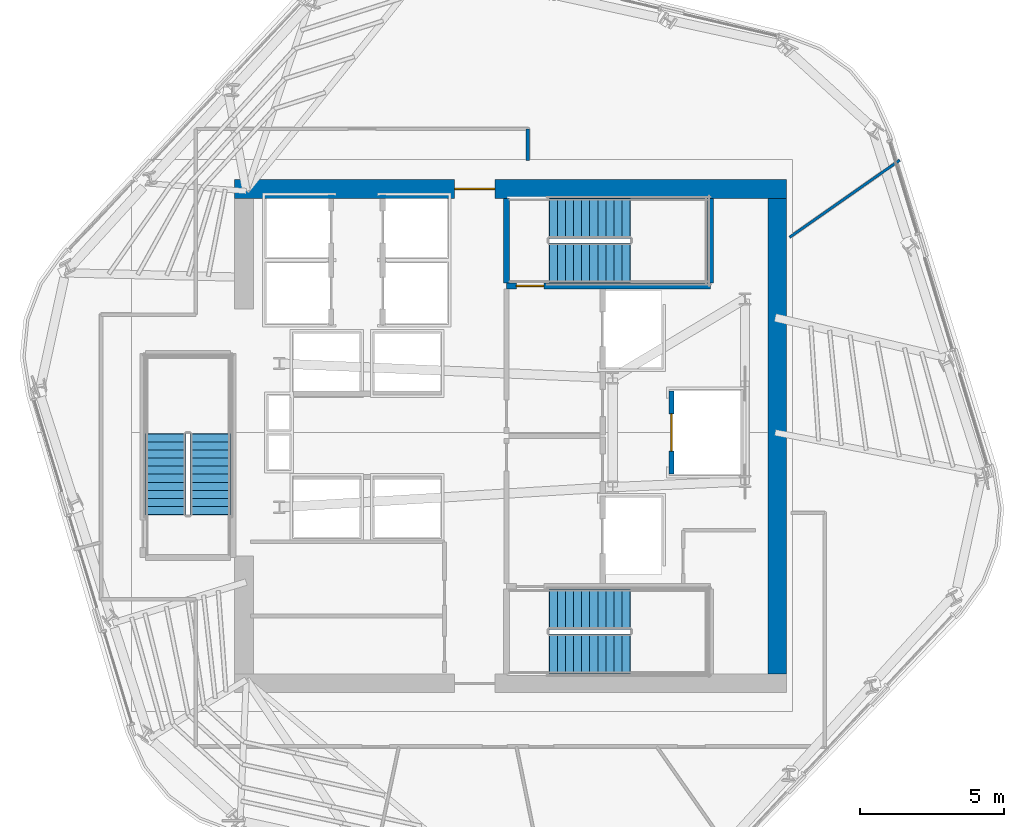
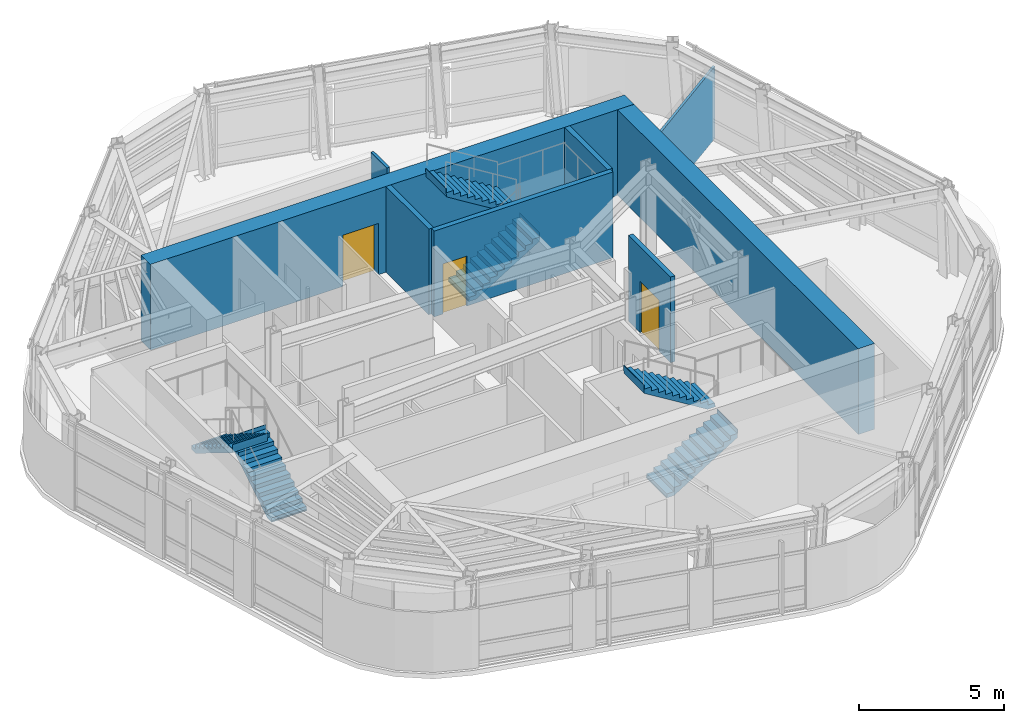
# One storey, part 8 of 13: 8 walls, 6 stair flights, 3 doors, 3 openings, 3 elements without a shape of their own.
"""IFC4 building model written with IfcOpenShell, lengths in metres."""

from ifc_helpers import new_model, si_unit, direction, frame, frame_2d, origin, place, context, subcontext, project, spatial, polyline, rectangle, outline, extrude, material, layer, layer_set, type_object, element, fill, aggregate, save


model = new_model("IFC4")

# Units and contexts
model_context = context("Model", 3, precision=1e-05, world=origin(), true_north=direction((0.0, 1.0)))
body_context = subcontext(model_context, "Body", "Model", "MODEL_VIEW")
ifc_project = project(units=[si_unit("LENGTHUNIT", "METRE"), si_unit("AREAUNIT", "SQUARE_METRE"), si_unit("VOLUMEUNIT", "CUBIC_METRE"), si_unit("PLANEANGLEUNIT", "RADIAN"), si_unit("MASSUNIT", "GRAM", prefix="KILO")], contexts=[model_context])

# Site, building, storey
site_placement = place(None, origin())
site = spatial("IfcSite", under=ifc_project, at=site_placement, CompositionType="ELEMENT")
building_placement = place(site_placement, origin())
building = spatial("IfcBuilding", under=site, at=building_placement, Name="Valkerne Bourse Tower", CompositionType="ELEMENT")
storey_placement = place(building_placement, frame((0.0, 0.0, 224.60009765625)))
storey = spatial("IfcBuildingStorey", under=building, at=storey_placement, Name="L57", CompositionType="ELEMENT", Elevation=224.60009765625)

# Wall, opening, door
ifc_material_1 = material(Name="Concrete C55/67", Category="concrete")
ifc_layer_1 = layer(ifc_material_1, 0.64990234375)
ifc_layer_set_1 = layer_set([ifc_layer_1], Name="Concrete C55/67")
wall_type_1 = type_object("IfcWallType", Name="W-CORE-650", PredefinedType="SHEAR", material=ifc_layer_set_1)
wall_1_placement = place(storey_placement, frame((37.199951171875, 35.47509765625, 0.0), z_axis=(0.0, 0.0, 1.0), x_axis=(1.0, 0.0, 0.0)))
wall_1 = element("IfcWall", 1, at=wall_1_placement, inside=storey, type_object=wall_type_1, Name="L57 Core Shear Wall NORTH", PredefinedType="SHEAR", context=body_context, shape_type="SweptSolid", body=[
    extrude(rectangle(XDim=19.199951171875, YDim=0.64990234375, at=frame_2d((9.60009765625, 0.0))), origin(), (0.0, 0.0, 1.0), 3.599853515625),
])
opening_1_placement = place(wall_1_placement, frame((7.64990234375, 0.0, 0.0)))
opening_1 = element("IfcOpeningElement", 2, at=opening_1_placement, cuts=wall_1, Name="Opening D-PL-1400", PredefinedType="OPENING", context=body_context, shape_type="SweptSolid", body=[
    extrude(rectangle(XDim=1.39990234375, YDim=2.14990234375, at=frame_2d((0.699951171875, 1.074951171875))), frame((0.0, 0.3349609375, 0.0), z_axis=(0.0, -1.0, 0.0), x_axis=(1.0, 0.0, 0.0)), (0.0, 0.0, 1.0), 0.669921875),
])
ifc_material_2 = material(Name="Galvanised Painted Steel", Category="steel")
door_type_1 = type_object("IfcDoorType", Name="DR-PLT-1400", OperationType="DOUBLE_DOOR_SINGLE_SWING", PredefinedType="DOOR", material=ifc_material_2)
door_1_placement = place(opening_1_placement, origin())
door_1 = element("IfcDoor", 3, at=door_1_placement, inside=storey, type_object=door_type_1, Name="L57 North Passenger Lift Hall Fire Door", OperationType="DOUBLE_DOOR_SINGLE_SWING", OverallHeight=2.14990234375, OverallWidth=1.39990234375, PredefinedType="DOOR", context=body_context, shape_type="SweptSolid", body=[
    extrude(rectangle(XDim=1.39990234375, YDim=2.14990234375, at=frame_2d((0.699951171875, 1.074951171875))), frame((0.0, 0.02490234375, 0.0), z_axis=(0.0, -1.0, 0.0), x_axis=(1.0, 0.0, 0.0)), (0.0, 0.0, 1.0), 0.050048828125),
])
fill(opening_1, door_1)

# Walls
wall_2_placement = place(storey_placement, frame((56.074951171875, 18.60009765625, 0.0), z_axis=(0.0, 0.0, 1.0), x_axis=(0.0, 1.0, 0.0)))
element("IfcWall", 4, at=wall_2_placement, inside=storey, type_object=wall_type_1, Name="L57 Core Shear Wall EAST", PredefinedType="SHEAR", context=body_context, shape_type="SweptSolid", body=[
    extrude(rectangle(XDim=16.5498046875, YDim=0.64990234375, at=frame_2d((8.27490234375, 0.0))), origin(), (0.0, 0.0, 1.0), 3.599853515625),
])
ifc_material_3 = material(Name="Gypsum Board Steel-Stud Partition", Category="steel")
ifc_layer_2 = layer(ifc_material_3, 0.117919921875)
ifc_layer_set_2 = layer_set([ifc_layer_2], Name="Gypsum Board Steel-Stud Partition")
wall_type_2 = type_object("IfcWallType", Name="W-CORR-140", PredefinedType="PARTITIONING", material=ifc_layer_set_2)
wall_3_placement = place(storey_placement, frame((47.39990234375, 37.56005859375, 0.0), z_axis=(0.0, 0.0, 1.0), x_axis=(0.0, -1.0, 0.0)))
element("IfcWall", 5, at=wall_3_placement, inside=storey, type_object=wall_type_2, Name="L57 Corridor Enclosure Wall", PredefinedType="PARTITIONING", context=body_context, shape_type="SweptSolid", body=[
    extrude(rectangle(XDim=1.10009765625, YDim=0.117919921875, at=frame_2d((0.550048828125, 0.0))), origin(), (0.0, 0.0, 1.0), 3.2998046875),
])

# Wall, opening, door
ifc_material_4 = material(Name="CMU Blockwork Masonry 200mm", Category="masonry")
ifc_layer_3 = layer(ifc_material_4, 0.179931640625)
ifc_layer_set_3 = layer_set([ifc_layer_3], Name="CMU Blockwork Masonry 200mm")
wall_type_3 = type_object("IfcWallType", Name="W-LFT-180", PredefinedType="SOLIDWALL", material=ifc_layer_set_3)
wall_4_placement = place(storey_placement, frame((52.39990234375, 25.550048828125, 0.0), z_axis=(0.0, 0.0, 1.0), x_axis=(0.0, 1.0, 0.0)))
wall_4 = element("IfcWall", 6, at=wall_4_placement, inside=storey, type_object=wall_type_3, Name="L57 Service Lift SV-1 Front Wall", PredefinedType="SOLIDWALL", context=body_context, shape_type="SweptSolid", body=[
    extrude(rectangle(XDim=2.89990234375, YDim=0.179931640625, at=frame_2d((1.449951171875, 0.0))), origin(), (0.0, 0.0, 1.0), 3.599853515625),
])
opening_2_placement = place(wall_4_placement, frame((0.800048828125, 0.0, 0.0)))
opening_2 = element("IfcOpeningElement", 7, at=opening_2_placement, cuts=wall_4, Name="Opening LD-1300", PredefinedType="OPENING", context=body_context, shape_type="SweptSolid", body=[
    extrude(rectangle(XDim=1.300048828125, YDim=2.14990234375, at=frame_2d((0.64990234375, 1.074951171875))), frame((0.0, 0.099853515625, 0.0), z_axis=(0.0, -1.0, 0.0), x_axis=(1.0, 0.0, 0.0)), (0.0, 0.0, 1.0), 0.199951171875),
])
ifc_material_5 = material(Name="Stainless Steel AISI 316", Category="steel")
door_type_2 = type_object("IfcDoorType", Name="DR-LIFT-1300", OperationType="DOUBLE_DOOR_SLIDING", PredefinedType="DOOR", material=ifc_material_5)
door_2_placement = place(opening_2_placement, origin())
door_2 = element("IfcDoor", 8, at=door_2_placement, inside=storey, type_object=door_type_2, Name="L57 Service Lift SV-1 Landing Door", OperationType="DOUBLE_DOOR_SLIDING", OverallHeight=2.14990234375, OverallWidth=1.300048828125, PredefinedType="DOOR", context=body_context, shape_type="SweptSolid", body=[
    extrude(rectangle(XDim=1.300048828125, YDim=2.14990234375, at=frame_2d((0.64990234375, 1.074951171875))), frame((0.0, 0.02490234375, 0.0), z_axis=(0.0, -1.0, 0.0), x_axis=(1.0, 0.0, 0.0)), (0.0, 0.0, 1.0), 0.050048828125),
])
fill(opening_2, door_2)

# Wall
ifc_layer_4 = layer(ifc_material_3, 0.092041015625)
ifc_layer_set_4 = layer_set([ifc_layer_4], Name="Gypsum Board Steel-Stud Partition")
wall_type_4 = type_object("IfcWallType", Name="W-PART-115", PredefinedType="PARTITIONING", material=ifc_layer_set_4)
wall_5_placement = place(storey_placement, frame((56.5, 33.7919921875, 0.0), z_axis=(0.0, 0.0, 1.0), x_axis=(0.819160887825, 0.573563806266, 0.0)))
element("IfcWall", 9, at=wall_5_placement, inside=storey, type_object=wall_type_4, Name="L57 Suite Partition P04", PredefinedType="PARTITIONING", context=body_context, shape_type="SweptSolid", body=[
    extrude(rectangle(XDim=4.68310546875, YDim=0.092041015625, at=frame_2d((2.341552734375, 0.0))), origin(), (0.0, 0.0, 1.0), 3.0361328125),
])

# Wall, opening, door
ifc_material_6 = material(Name="Concrete C40/50", Category="concrete")
ifc_layer_5 = layer(ifc_material_6, 0.199951171875)
ifc_layer_set_5 = layer_set([ifc_layer_5], Name="Concrete C40/50")
wall_type_5 = type_object("IfcWallType", Name="W-SHF-200", PredefinedType="SHEAR", material=ifc_layer_set_5)
wall_6_placement = place(storey_placement, frame((46.64990234375, 32.10009765625, 0.0), z_axis=(0.0, 0.0, 1.0), x_axis=(1.0, 0.0, 0.0)))
wall_6 = element("IfcWall", 10, at=wall_6_placement, inside=storey, type_object=wall_type_5, Name="L57 Exit Stair ST-2 Structural Shaft Wall South", PredefinedType="SHEAR", context=body_context, shape_type="SweptSolid", body=[
    extrude(rectangle(XDim=7.10009765625, YDim=0.199951171875, at=frame_2d((3.550048828125, 0.0))), origin(), (0.0, 0.0, 1.0), 3.599853515625),
])
opening_3_placement = place(wall_6_placement, frame((0.35009765625, 0.0, 0.0)))
opening_3 = element("IfcOpeningElement", 11, at=opening_3_placement, cuts=wall_6, Name="Opening D-ST-950", PredefinedType="OPENING", context=body_context, shape_type="SweptSolid", body=[
    extrude(rectangle(XDim=0.949951171875, YDim=2.10009765625, at=frame_2d((0.47509765625, 1.050048828125))), frame((0.0, 0.10986328125, 0.0), z_axis=(0.0, -1.0, 0.0), x_axis=(1.0, 0.0, 0.0)), (0.0, 0.0, 1.0), 0.219970703125),
])
door_type_3 = type_object("IfcDoorType", Name="DR-STAIR-950", OperationType="NOTDEFINED", PredefinedType="DOOR", material=ifc_material_2)
door_3_placement = place(opening_3_placement, origin())
door_3 = element("IfcDoor", 12, at=door_3_placement, inside=storey, type_object=door_type_3, Name="L57 Exit Stair ST-2 Door", OperationType="SINGLE_SWING_RIGHT", OverallHeight=2.10009765625, OverallWidth=0.949951171875, PredefinedType="DOOR", context=body_context, shape_type="SweptSolid", body=[
    extrude(rectangle(XDim=0.949951171875, YDim=2.10009765625, at=frame_2d((0.47509765625, 1.050048828125))), frame((0.0, 0.02490234375, 0.0), z_axis=(0.0, -1.0, 0.0), x_axis=(1.0, 0.0, 0.0)), (0.0, 0.0, 1.0), 0.050048828125),
])
fill(opening_3, door_3)

# Walls
for number, where, z_axis, x_axis, name in (
    (13, (46.64990234375, 32.199951171875, 0.0), (0.0, 0.0, 1.0), (0.0, 1.0, 0.0), "L57 Exit Stair ST-2 Structural Shaft Wall West"),
    (14, (53.75, 32.199951171875, 0.0), (0.0, 0.0, 1.0), (0.0, 1.0, 0.0), "L57 Exit Stair ST-2 Structural Shaft Wall East"),
):
    element("IfcWall", number, at=place(storey_placement, frame(where, z_axis=z_axis, x_axis=x_axis)), inside=storey, type_object=wall_type_5, Name=name, PredefinedType="SHEAR", context=body_context, shape_type="SweptSolid", body=[
        extrude(rectangle(XDim=2.949951171875, YDim=0.199951171875, at=frame_2d((1.47509765625, 0.0))), origin(), (0.0, 0.0, 1.0), 3.599853515625),
    ])

# Stair, stair flights
stair_type = type_object("IfcStairType", Name="ST-CORE-1400", PredefinedType="HALF_TURN_STAIR", material=ifc_material_6)
stair_1_placement = place(storey_placement, origin())
stair_1 = element("IfcStair", 15, at=stair_1_placement, inside=storey, type_object=stair_type, Name="L57 ST-1", PredefinedType="HALF_TURN_STAIR")
stair_flight_type = type_object("IfcStairFlightType", Name="STF-CORE-1400", PredefinedType="STRAIGHT", material=ifc_material_6)
stair_flight_1_placement = place(storey_placement, frame((48.14990234375, 19.300048828125, 0.0), z_axis=(0.0, 0.0, 1.0), x_axis=(1.0, 0.0, 0.0)))
stair_flight_1 = element("IfcStairFlight", 16, at=stair_flight_1_placement, type_object=stair_flight_type, Name="ST-1 flight 1", NumberOfRisers=11, NumberOfTreads=10, PredefinedType="STRAIGHT", RiserHeight=0.172727273, TreadLength=0.28, context=body_context, shape_type="SweptSolid", body=[
    extrude(outline(polyline([(-0.02001953125, 0.0), (-0.02001953125, 0.044921875), (0.0, 0.044921875), (0.0, 0.172607421875), (0.280029296875, 0.172607421875), (0.280029296875, 0.345458984375), (0.56005859375, 0.345458984375), (0.56005859375, 0.51806640625), (0.840087890625, 0.51806640625), (0.840087890625, 0.69091796875), (1.1201171875, 0.69091796875), (1.1201171875, 0.863525390625), (1.39990234375, 0.863525390625), (1.39990234375, 1.036376953125), (1.679931640625, 1.036376953125), (1.679931640625, 1.208984375), (1.9599609375, 1.208984375), (1.9599609375, 1.3818359375), (2.239990234375, 1.3818359375), (2.239990234375, 1.554443359375), (2.52001953125, 1.554443359375), (2.52001953125, 1.727294921875), (2.800048828125, 1.727294921875), (2.800048828125, 1.89990234375), (2.820068359375, 1.89990234375), (2.820068359375, 1.780029296875), (2.800048828125, 1.551025390625), (0.285400390625, 0.0), (-0.02001953125, 0.0)])), frame((0.0, 0.699951171875, 0.0), z_axis=(0.0, -1.0, 0.0), x_axis=(1.0, 0.0, 0.0)), (0.0, 0.0, 1.0), 1.39990234375),
])
stair_flight_2_placement = place(storey_placement, frame((50.949951171875, 20.85009765625, 1.89990234375), z_axis=(0.0, 0.0, 1.0), x_axis=(-1.0, 0.0, 0.0)))
stair_flight_2 = element("IfcStairFlight", 17, at=stair_flight_2_placement, type_object=stair_flight_type, Name="ST-1 flight 2", NumberOfRisers=11, NumberOfTreads=10, PredefinedType="STRAIGHT", RiserHeight=0.172727273, TreadLength=0.28, context=body_context, shape_type="SweptSolid", body=[
    extrude(outline(polyline([(-0.02001953125, 0.0), (-0.02001953125, 0.044921875), (0.0, 0.044921875), (0.0, 0.172607421875), (0.280029296875, 0.172607421875), (0.280029296875, 0.345458984375), (0.56005859375, 0.345458984375), (0.56005859375, 0.51806640625), (0.840087890625, 0.51806640625), (0.840087890625, 0.69091796875), (1.1201171875, 0.69091796875), (1.1201171875, 0.863525390625), (1.39990234375, 0.863525390625), (1.39990234375, 1.036376953125), (1.679931640625, 1.036376953125), (1.679931640625, 1.208984375), (1.9599609375, 1.208984375), (1.9599609375, 1.3818359375), (2.239990234375, 1.3818359375), (2.239990234375, 1.554443359375), (2.52001953125, 1.554443359375), (2.52001953125, 1.727294921875), (2.800048828125, 1.727294921875), (2.800048828125, 1.89990234375), (2.820068359375, 1.89990234375), (2.820068359375, 1.780029296875), (2.800048828125, 1.551025390625), (0.285400390625, 0.0), (-0.02001953125, 0.0)])), frame((0.0, 0.699951171875, 0.0), z_axis=(0.0, -1.0, 0.0), x_axis=(1.0, 0.0, 0.0)), (0.0, 0.0, 1.0), 1.39990234375),
])
aggregate(stair_1, [stair_flight_1, stair_flight_2])

stair_2_placement = place(storey_placement, origin())
stair_2 = element("IfcStair", 18, at=stair_2_placement, inside=storey, type_object=stair_type, Name="L57 ST-2", PredefinedType="HALF_TURN_STAIR")
stair_flight_3_placement = place(storey_placement, frame((48.14990234375, 32.89990234375, 0.0), z_axis=(0.0, 0.0, 1.0), x_axis=(1.0, 0.0, 0.0)))
stair_flight_3 = element("IfcStairFlight", 19, at=stair_flight_3_placement, type_object=stair_flight_type, Name="ST-2 flight 1", NumberOfRisers=11, NumberOfTreads=10, PredefinedType="STRAIGHT", RiserHeight=0.172727273, TreadLength=0.28, context=body_context, shape_type="SweptSolid", body=[
    extrude(outline(polyline([(-0.02001953125, 0.0), (-0.02001953125, 0.044921875), (0.0, 0.044921875), (0.0, 0.172607421875), (0.280029296875, 0.172607421875), (0.280029296875, 0.345458984375), (0.56005859375, 0.345458984375), (0.56005859375, 0.51806640625), (0.840087890625, 0.51806640625), (0.840087890625, 0.69091796875), (1.1201171875, 0.69091796875), (1.1201171875, 0.863525390625), (1.39990234375, 0.863525390625), (1.39990234375, 1.036376953125), (1.679931640625, 1.036376953125), (1.679931640625, 1.208984375), (1.9599609375, 1.208984375), (1.9599609375, 1.3818359375), (2.239990234375, 1.3818359375), (2.239990234375, 1.554443359375), (2.52001953125, 1.554443359375), (2.52001953125, 1.727294921875), (2.800048828125, 1.727294921875), (2.800048828125, 1.89990234375), (2.820068359375, 1.89990234375), (2.820068359375, 1.780029296875), (2.800048828125, 1.551025390625), (0.285400390625, 0.0), (-0.02001953125, 0.0)])), frame((0.0, 0.699951171875, 0.0), z_axis=(0.0, -1.0, 0.0), x_axis=(1.0, 0.0, 0.0)), (0.0, 0.0, 1.0), 1.39990234375),
])
stair_flight_4_placement = place(storey_placement, frame((50.949951171875, 34.449951171875, 1.89990234375), z_axis=(0.0, 0.0, 1.0), x_axis=(-1.0, 0.0, 0.0)))
stair_flight_4 = element("IfcStairFlight", 20, at=stair_flight_4_placement, type_object=stair_flight_type, Name="ST-2 flight 2", NumberOfRisers=11, NumberOfTreads=10, PredefinedType="STRAIGHT", RiserHeight=0.172727273, TreadLength=0.28, context=body_context, shape_type="SweptSolid", body=[
    extrude(outline(polyline([(-0.02001953125, 0.0), (-0.02001953125, 0.044921875), (0.0, 0.044921875), (0.0, 0.172607421875), (0.280029296875, 0.172607421875), (0.280029296875, 0.345458984375), (0.56005859375, 0.345458984375), (0.56005859375, 0.51806640625), (0.840087890625, 0.51806640625), (0.840087890625, 0.69091796875), (1.1201171875, 0.69091796875), (1.1201171875, 0.863525390625), (1.39990234375, 0.863525390625), (1.39990234375, 1.036376953125), (1.679931640625, 1.036376953125), (1.679931640625, 1.208984375), (1.9599609375, 1.208984375), (1.9599609375, 1.3818359375), (2.239990234375, 1.3818359375), (2.239990234375, 1.554443359375), (2.52001953125, 1.554443359375), (2.52001953125, 1.727294921875), (2.800048828125, 1.727294921875), (2.800048828125, 1.89990234375), (2.820068359375, 1.89990234375), (2.820068359375, 1.780029296875), (2.800048828125, 1.551025390625), (0.285400390625, 0.0), (-0.02001953125, 0.0)])), frame((0.0, 0.699951171875, 0.0), z_axis=(0.0, -1.0, 0.0), x_axis=(1.0, 0.0, 0.0)), (0.0, 0.0, 1.0), 1.39990234375),
])
aggregate(stair_2, [stair_flight_3, stair_flight_4])

stair_3_placement = place(storey_placement, origin())
stair_3 = element("IfcStair", 21, at=stair_3_placement, inside=storey, type_object=stair_type, Name="L57 ST-3", PredefinedType="HALF_TURN_STAIR")
stair_flight_5_placement = place(storey_placement, frame((36.35009765625, 24.14990234375, 0.0), z_axis=(0.0, 0.0, 1.0), x_axis=(0.0, 1.0, 0.0)))
stair_flight_5 = element("IfcStairFlight", 22, at=stair_flight_5_placement, type_object=stair_flight_type, Name="ST-3 flight 1", NumberOfRisers=11, NumberOfTreads=10, PredefinedType="STRAIGHT", RiserHeight=0.172727273, TreadLength=0.28, context=body_context, shape_type="SweptSolid", body=[
    extrude(outline(polyline([(-0.02001953125, 0.0), (-0.02001953125, 0.044921875), (0.0, 0.044921875), (0.0, 0.172607421875), (0.280029296875, 0.172607421875), (0.280029296875, 0.345458984375), (0.56005859375, 0.345458984375), (0.56005859375, 0.51806640625), (0.840087890625, 0.51806640625), (0.840087890625, 0.69091796875), (1.1201171875, 0.69091796875), (1.1201171875, 0.863525390625), (1.39990234375, 0.863525390625), (1.39990234375, 1.036376953125), (1.679931640625, 1.036376953125), (1.679931640625, 1.208984375), (1.9599609375, 1.208984375), (1.9599609375, 1.3818359375), (2.239990234375, 1.3818359375), (2.239990234375, 1.554443359375), (2.52001953125, 1.554443359375), (2.52001953125, 1.727294921875), (2.800048828125, 1.727294921875), (2.800048828125, 1.89990234375), (2.820068359375, 1.89990234375), (2.820068359375, 1.780029296875), (2.800048828125, 1.551025390625), (0.285400390625, 0.0), (-0.02001953125, 0.0)])), frame((0.0, 0.699951171875, 0.0), z_axis=(0.0, -1.0, 0.0), x_axis=(1.0, 0.0, 0.0)), (0.0, 0.0, 1.0), 1.39990234375),
])
stair_flight_6_placement = place(storey_placement, frame((34.800048828125, 26.949951171875, 1.89990234375), z_axis=(0.0, 0.0, 1.0), x_axis=(0.0, -1.0, 0.0)))
stair_flight_6 = element("IfcStairFlight", 23, at=stair_flight_6_placement, type_object=stair_flight_type, Name="ST-3 flight 2", NumberOfRisers=11, NumberOfTreads=10, PredefinedType="STRAIGHT", RiserHeight=0.172727273, TreadLength=0.28, context=body_context, shape_type="SweptSolid", body=[
    extrude(outline(polyline([(-0.02001953125, 0.0), (-0.02001953125, 0.044921875), (0.0, 0.044921875), (0.0, 0.172607421875), (0.280029296875, 0.172607421875), (0.280029296875, 0.345458984375), (0.56005859375, 0.345458984375), (0.56005859375, 0.51806640625), (0.840087890625, 0.51806640625), (0.840087890625, 0.69091796875), (1.1201171875, 0.69091796875), (1.1201171875, 0.863525390625), (1.39990234375, 0.863525390625), (1.39990234375, 1.036376953125), (1.679931640625, 1.036376953125), (1.679931640625, 1.208984375), (1.9599609375, 1.208984375), (1.9599609375, 1.3818359375), (2.239990234375, 1.3818359375), (2.239990234375, 1.554443359375), (2.52001953125, 1.554443359375), (2.52001953125, 1.727294921875), (2.800048828125, 1.727294921875), (2.800048828125, 1.89990234375), (2.820068359375, 1.89990234375), (2.820068359375, 1.780029296875), (2.800048828125, 1.551025390625), (0.285400390625, 0.0), (-0.02001953125, 0.0)])), frame((0.0, 0.699951171875, 0.0), z_axis=(0.0, -1.0, 0.0), x_axis=(1.0, 0.0, 0.0)), (0.0, 0.0, 1.0), 1.39990234375),
])
aggregate(stair_3, [stair_flight_5, stair_flight_6])

save(model, "model.ifc")
